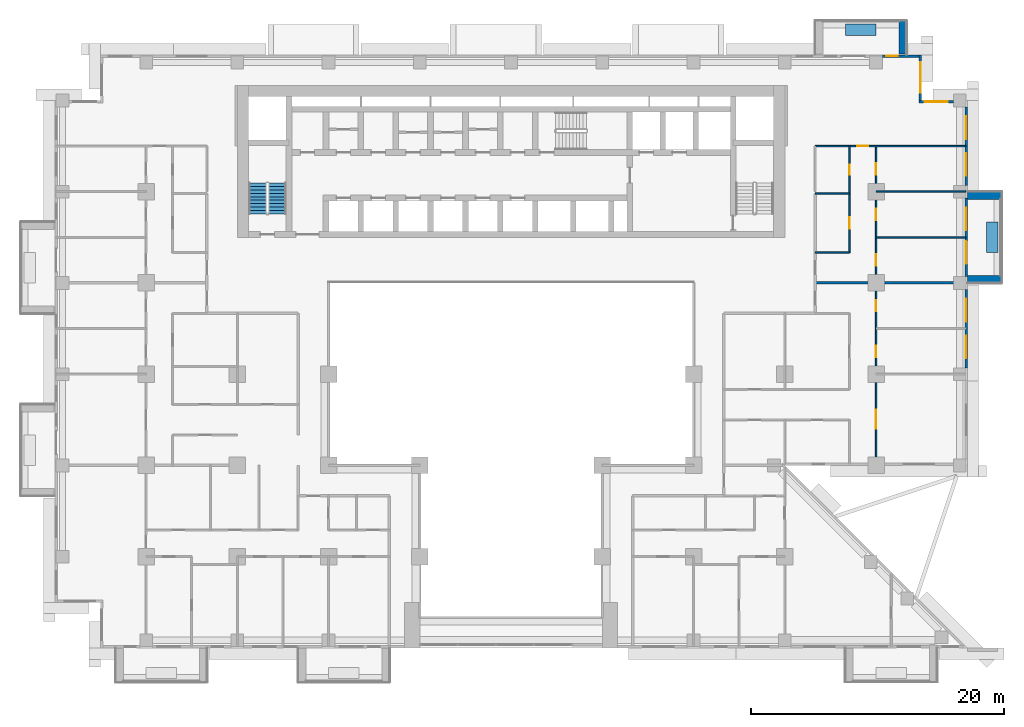
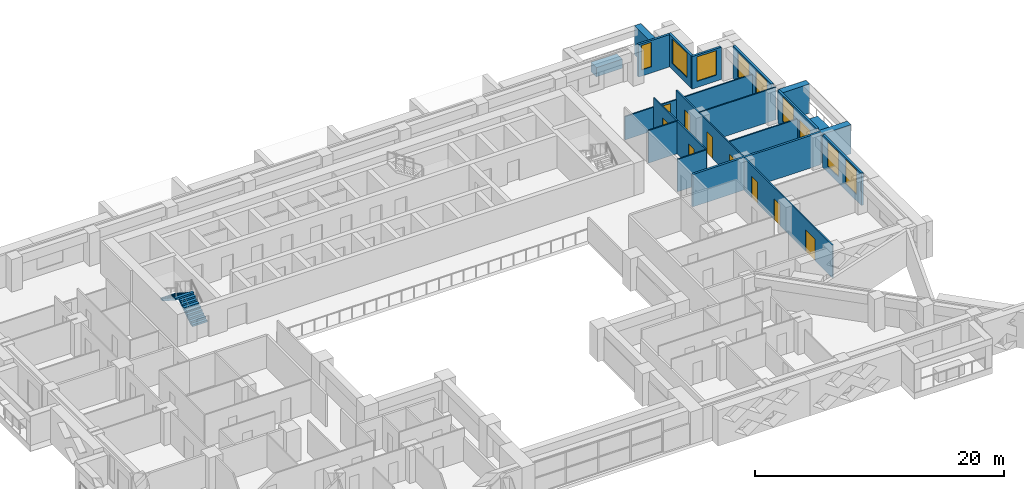
# One storey, part 12 of 17: 19 walls, 10 doors, 8 windows, 2 stair flights, 18 openings, 1 element without a shape of its own.
"""IFC4 building model written with IfcOpenShell, lengths in metres."""

from ifc_helpers import new_model, si_unit, direction, frame, frame_2d, origin, place, context, subcontext, project, spatial, polyline, rectangle, outline, extrude, material, layer, layer_set, type_object, element, fill, aggregate, save


model = new_model("IFC4")

# Units and contexts
model_context = context("Model", 3, precision=1e-05, world=origin(), true_north=direction((0.0, 1.0)))
body_context = subcontext(model_context, "Body", "Model", "MODEL_VIEW")
ifc_project = project(units=[si_unit("LENGTHUNIT", "METRE"), si_unit("AREAUNIT", "SQUARE_METRE"), si_unit("VOLUMEUNIT", "CUBIC_METRE"), si_unit("PLANEANGLEUNIT", "RADIAN"), si_unit("MASSUNIT", "GRAM", prefix="KILO")], contexts=[model_context])

# Site, building, storey
site_placement = place(None, origin())
site = spatial("IfcSite", under=ifc_project, at=site_placement, CompositionType="ELEMENT")
building_placement = place(site_placement, origin())
building = spatial("IfcBuilding", under=site, at=building_placement, Name="Saffron Iwan Residences", CompositionType="ELEMENT")
storey_placement = place(building_placement, frame((0.0, 0.0, 76.0)))
storey = spatial("IfcBuildingStorey", under=building, at=storey_placement, Name="L19", CompositionType="ELEMENT", Elevation=76.0)

# Walls
ifc_material_1 = material(Name="Concrete C50/60 white painted", Category="concrete")
ifc_layer_1 = layer(ifc_material_1, 0.60009765625)
ifc_layer_set_1 = layer_set([ifc_layer_1], Name="Concrete C50/60 white painted")
wall_type_1 = type_object("IfcWallType", Name="BALCONY FIN 600", PredefinedType="SOLIDWALL", material=ifc_layer_set_1)
for number, where, z_axis, x_axis, name in (
    (1, (86.39990234375, 62.699951171875, 0.0), (0.0, 0.0, 1.0), (1.0, 0.0, 0.0), "Balcony fin L19 F2-0a"),
    (2, (86.39990234375, 69.300048828125, 0.0), (0.0, 0.0, 1.0), (1.0, 0.0, 0.0), "Balcony fin L19 F2-0b"),
):
    element("IfcWall", number, at=place(storey_placement, frame(where, z_axis=z_axis, x_axis=x_axis)), inside=storey, type_object=wall_type_1, Name=name, PredefinedType="SOLIDWALL", context=body_context, shape_type="SweptSolid", body=[
        extrude(rectangle(XDim=2.7001953125, YDim=0.60009765625, at=frame_2d((1.35009765625, 0.0))), origin(), (0.0, 0.0, 1.0), 2.85009765625),
    ])
wall_1_placement = place(storey_placement, frame((81.300048828125, 80.449951171875, 0.0), z_axis=(0.0, 0.0, 1.0), x_axis=(0.0, 1.0, 0.0)))
element("IfcWall", 3, at=wall_1_placement, inside=storey, type_object=wall_type_1, Name="Balcony fin L19 F5-0a", PredefinedType="SOLIDWALL", context=body_context, shape_type="SweptSolid", body=[
    extrude(rectangle(XDim=2.650146484375, YDim=0.60009765625, at=frame_2d((1.3251953125, 0.0))), origin(), (0.0, 0.0, 1.0), 2.85009765625),
])
ifc_material_2 = material(Name="Concrete C35/45 white painted", Category="concrete")
ifc_layer_2 = layer(ifc_material_2, 0.14990234375)
ifc_layer_set_2 = layer_set([ifc_layer_2], Name="Concrete C35/45 white painted")
wall_type_2 = type_object("IfcWallType", Name="BALCONY PLANTER", PredefinedType="SOLIDWALL", material=ifc_layer_set_2)
for number, where, z_axis, x_axis, name in (
    (4, (88.375, 64.800048828125, 0.0), (0.0, 0.0, 1.0), (0.0, 1.0, 0.0), "PLANTER L19 F2-0"),
    (5, (79.199951171875, 82.375, 0.0), (0.0, 0.0, 1.0), (-1.0, 0.0, 0.0), "PLANTER L19 F5-0"),
):
    element("IfcWall", number, at=place(storey_placement, frame(where, z_axis=z_axis, x_axis=x_axis)), inside=storey, type_object=wall_type_2, Name=name, PredefinedType="SOLIDWALL", context=body_context, shape_type="SweptSolid", body=[
        extrude(rectangle(XDim=2.39990234375, YDim=0.89990234375, at=frame_2d((1.199951171875, 0.0))), origin(), (0.0, 0.0, 1.0), 0.89990234375),
    ])

# Wall, openings, windows
ifc_material_3 = material(Name="Concrete C40/50", Category="concrete")
ifc_layer_3 = layer(ifc_material_3, 0.199951171875)
ifc_layer_set_3 = layer_set([ifc_layer_3], Name="Concrete C40/50")
wall_type_3 = type_object("IfcWallType", Name="EXTERNAL WALL 200", PredefinedType="SOLIDWALL", material=ifc_layer_set_3)
wall_2_placement = place(storey_placement, frame((86.300048828125, 55.699951171875, 0.0), z_axis=(0.0, 0.0, 1.0), x_axis=(0.0, 1.0, 0.0)))
wall_2 = element("IfcWall", 6, at=wall_2_placement, inside=storey, type_object=wall_type_3, Name="External wall L19 F2.1", PredefinedType="SOLIDWALL", context=body_context, shape_type="SweptSolid", body=[
    extrude(rectangle(XDim=6.199951171875, YDim=0.199951171875, at=frame_2d((3.10009765625, 0.0))), origin(), (0.0, 0.0, 1.0), 3.179931640625),
])
opening_1_placement = place(wall_2_placement, frame((0.75, 0.0, 0.60009765625)))
opening_1 = element("IfcOpeningElement", 7, at=opening_1_placement, cuts=wall_2, Name="Opening W8", PredefinedType="OPENING", context=body_context, shape_type="SweptSolid", body=[
    extrude(rectangle(XDim=1.800048828125, YDim=2.39990234375, at=frame_2d((0.89990234375, 1.199951171875))), frame((0.0, 0.10986328125, 0.0), z_axis=(0.0, -1.0, 0.0), x_axis=(1.0, 0.0, 0.0)), (0.0, 0.0, 1.0), 0.219970703125),
])
opening_2_placement = place(wall_2_placement, frame((3.64990234375, 0.0, 0.60009765625)))
opening_2 = element("IfcOpeningElement", 8, at=opening_2_placement, cuts=wall_2, Name="Opening W8", PredefinedType="OPENING", context=body_context, shape_type="SweptSolid", body=[
    extrude(rectangle(XDim=1.800048828125, YDim=2.39990234375, at=frame_2d((0.89990234375, 1.199951171875))), frame((0.0, 0.10986328125, 0.0), z_axis=(0.0, -1.0, 0.0), x_axis=(1.0, 0.0, 0.0)), (0.0, 0.0, 1.0), 0.219970703125),
])
ifc_material_4 = material(Name="Clear glass, laminated double glazed", Category="glass")
window_type_1 = type_object("IfcWindowType", Name="WINDOW 1800 x 2400", PartitioningType="DOUBLE_PANEL_VERTICAL", PredefinedType="WINDOW", material=ifc_material_4)
window_1_placement = place(opening_1_placement, origin())
window_1 = element("IfcWindow", 9, at=window_1_placement, inside=storey, type_object=window_type_1, Name="Window L19 F2.0", OverallHeight=2.39990234375, OverallWidth=1.800048828125, PartitioningType="DOUBLE_PANEL_VERTICAL", PredefinedType="WINDOW", context=body_context, shape_type="SweptSolid", body=[
    extrude(rectangle(XDim=1.800048828125, YDim=2.39990234375, at=frame_2d((0.89990234375, 1.199951171875))), frame((0.0, 0.030029296875, 0.0), z_axis=(0.0, -1.0, 0.0), x_axis=(1.0, 0.0, 0.0)), (0.0, 0.0, 1.0), 0.06005859375),
])
fill(opening_1, window_1)
window_2_placement = place(opening_2_placement, origin())
window_2 = element("IfcWindow", 10, at=window_2_placement, inside=storey, type_object=window_type_1, Name="Window L19 F2.1", OverallHeight=2.39990234375, OverallWidth=1.800048828125, PartitioningType="DOUBLE_PANEL_VERTICAL", PredefinedType="WINDOW", context=body_context, shape_type="SweptSolid", body=[
    extrude(rectangle(XDim=1.800048828125, YDim=2.39990234375, at=frame_2d((0.89990234375, 1.199951171875))), frame((0.0, 0.030029296875, 0.0), z_axis=(0.0, -1.0, 0.0), x_axis=(1.0, 0.0, 0.0)), (0.0, 0.0, 1.0), 0.06005859375),
])
fill(opening_2, window_2)

# Wall, openings, door, window
wall_3_placement = place(storey_placement, frame((86.300048828125, 62.89990234375, 0.0), z_axis=(0.0, 0.0, 1.0), x_axis=(0.0, 1.0, 0.0)))
wall_3 = element("IfcWall", 11, at=wall_3_placement, inside=storey, type_object=wall_type_3, Name="External wall L19 F2.2", PredefinedType="SOLIDWALL", context=body_context, shape_type="SweptSolid", body=[
    extrude(rectangle(XDim=6.2001953125, YDim=0.199951171875, at=frame_2d((3.10009765625, 0.0))), origin(), (0.0, 0.0, 1.0), 3.179931640625),
])
opening_3_placement = place(wall_3_placement, frame((1.0, 0.0, 0.0)))
opening_3 = element("IfcOpeningElement", 12, at=opening_3_placement, cuts=wall_3, Name="Opening BD1", PredefinedType="OPENING", context=body_context, shape_type="SweptSolid", body=[
    extrude(rectangle(XDim=1.800048828125, YDim=2.39990234375, at=frame_2d((0.89990234375, 1.199951171875))), frame((0.0, 0.10986328125, 0.0), z_axis=(0.0, -1.0, 0.0), x_axis=(1.0, 0.0, 0.0)), (0.0, 0.0, 1.0), 0.219970703125),
])
opening_4_placement = place(wall_3_placement, frame((3.64990234375, 0.0, 0.60009765625)))
opening_4 = element("IfcOpeningElement", 13, at=opening_4_placement, cuts=wall_3, Name="Opening W8", PredefinedType="OPENING", context=body_context, shape_type="SweptSolid", body=[
    extrude(rectangle(XDim=1.800048828125, YDim=2.39990234375, at=frame_2d((0.89990234375, 1.199951171875))), frame((0.0, 0.10986328125, 0.0), z_axis=(0.0, -1.0, 0.0), x_axis=(1.0, 0.0, 0.0)), (0.0, 0.0, 1.0), 0.219970703125),
])
door_type_1 = type_object("IfcDoorType", Name="BALCONY DOOR 1800 x 2400", OperationType="DOUBLE_DOOR_SLIDING", PredefinedType="DOOR", material=ifc_material_4)
door_1_placement = place(opening_3_placement, origin())
door_1 = element("IfcDoor", 14, at=door_1_placement, inside=storey, type_object=door_type_1, Name="Balcony door L19 F2.0", OperationType="DOUBLE_DOOR_SLIDING", OverallHeight=2.39990234375, OverallWidth=1.800048828125, PredefinedType="DOOR", context=body_context, shape_type="SweptSolid", body=[
    extrude(rectangle(XDim=1.800048828125, YDim=2.39990234375, at=frame_2d((0.89990234375, 1.199951171875))), frame((0.0, 0.02490234375, 0.0), z_axis=(0.0, -1.0, 0.0), x_axis=(1.0, 0.0, 0.0)), (0.0, 0.0, 1.0), 0.050048828125),
])
fill(opening_3, door_1)
window_3_placement = place(opening_4_placement, origin())
window_3 = element("IfcWindow", 15, at=window_3_placement, inside=storey, type_object=window_type_1, Name="Window L19 F2.1", OverallHeight=2.39990234375, OverallWidth=1.800048828125, PartitioningType="DOUBLE_PANEL_VERTICAL", PredefinedType="WINDOW", context=body_context, shape_type="SweptSolid", body=[
    extrude(rectangle(XDim=1.800048828125, YDim=2.39990234375, at=frame_2d((0.89990234375, 1.199951171875))), frame((0.0, 0.030029296875, 0.0), z_axis=(0.0, -1.0, 0.0), x_axis=(1.0, 0.0, 0.0)), (0.0, 0.0, 1.0), 0.06005859375),
])
fill(opening_4, window_3)

# Wall, openings, windows
wall_4_placement = place(storey_placement, frame((86.300048828125, 70.10009765625, 0.0), z_axis=(0.0, 0.0, 1.0), x_axis=(0.0, 1.0, 0.0)))
wall_4 = element("IfcWall", 16, at=wall_4_placement, inside=storey, type_object=wall_type_3, Name="External wall L19 F2.3", PredefinedType="SOLIDWALL", context=body_context, shape_type="SweptSolid", body=[
    extrude(rectangle(XDim=6.199951171875, YDim=0.199951171875, at=frame_2d((3.10009765625, 0.0))), origin(), (0.0, 0.0, 1.0), 3.179931640625),
])
opening_5_placement = place(wall_4_placement, frame((0.75, 0.0, 0.60009765625)))
opening_5 = element("IfcOpeningElement", 17, at=opening_5_placement, cuts=wall_4, Name="Opening W8", PredefinedType="OPENING", context=body_context, shape_type="SweptSolid", body=[
    extrude(rectangle(XDim=1.800048828125, YDim=2.39990234375, at=frame_2d((0.89990234375, 1.199951171875))), frame((0.0, 0.10986328125, 0.0), z_axis=(0.0, -1.0, 0.0), x_axis=(1.0, 0.0, 0.0)), (0.0, 0.0, 1.0), 0.219970703125),
])
opening_6_placement = place(wall_4_placement, frame((3.64990234375, 0.0, 0.60009765625)))
opening_6 = element("IfcOpeningElement", 18, at=opening_6_placement, cuts=wall_4, Name="Opening W8", PredefinedType="OPENING", context=body_context, shape_type="SweptSolid", body=[
    extrude(rectangle(XDim=1.800048828125, YDim=2.39990234375, at=frame_2d((0.89990234375, 1.199951171875))), frame((0.0, 0.10986328125, 0.0), z_axis=(0.0, -1.0, 0.0), x_axis=(1.0, 0.0, 0.0)), (0.0, 0.0, 1.0), 0.219970703125),
])
window_4_placement = place(opening_5_placement, origin())
window_4 = element("IfcWindow", 19, at=window_4_placement, inside=storey, type_object=window_type_1, Name="Window L19 F2.0", OverallHeight=2.39990234375, OverallWidth=1.800048828125, PartitioningType="DOUBLE_PANEL_VERTICAL", PredefinedType="WINDOW", context=body_context, shape_type="SweptSolid", body=[
    extrude(rectangle(XDim=1.800048828125, YDim=2.39990234375, at=frame_2d((0.89990234375, 1.199951171875))), frame((0.0, 0.030029296875, 0.0), z_axis=(0.0, -1.0, 0.0), x_axis=(1.0, 0.0, 0.0)), (0.0, 0.0, 1.0), 0.06005859375),
])
fill(opening_5, window_4)
window_5_placement = place(opening_6_placement, origin())
window_5 = element("IfcWindow", 20, at=window_5_placement, inside=storey, type_object=window_type_1, Name="Window L19 F2.1", OverallHeight=2.39990234375, OverallWidth=1.800048828125, PartitioningType="DOUBLE_PANEL_VERTICAL", PredefinedType="WINDOW", context=body_context, shape_type="SweptSolid", body=[
    extrude(rectangle(XDim=1.800048828125, YDim=2.39990234375, at=frame_2d((0.89990234375, 1.199951171875))), frame((0.0, 0.030029296875, 0.0), z_axis=(0.0, -1.0, 0.0), x_axis=(1.0, 0.0, 0.0)), (0.0, 0.0, 1.0), 0.06005859375),
])
fill(opening_6, window_5)

# Wall, opening, window
wall_5_placement = place(storey_placement, frame((85.300048828125, 76.699951171875, 0.0), z_axis=(0.0, 0.0, 1.0), x_axis=(-1.0, 0.0, 0.0)))
wall_5 = element("IfcWall", 21, at=wall_5_placement, inside=storey, type_object=wall_type_3, Name="External wall L19 F3.0", PredefinedType="SOLIDWALL", context=body_context, shape_type="SweptSolid", body=[
    extrude(rectangle(XDim=2.699951171875, YDim=0.199951171875, at=frame_2d((1.35009765625, 0.0))), origin(), (0.0, 0.0, 1.0), 3.179931640625),
])
opening_7_placement = place(wall_5_placement, frame((0.449951171875, 0.0, 0.60009765625)))
opening_7 = element("IfcOpeningElement", 22, at=opening_7_placement, cuts=wall_5, Name="Opening W8", PredefinedType="OPENING", context=body_context, shape_type="SweptSolid", body=[
    extrude(rectangle(XDim=1.800048828125, YDim=2.39990234375, at=frame_2d((0.89990234375, 1.199951171875))), frame((0.0, 0.10986328125, 0.0), z_axis=(0.0, -1.0, 0.0), x_axis=(1.0, 0.0, 0.0)), (0.0, 0.0, 1.0), 0.219970703125),
])
window_6_placement = place(opening_7_placement, origin())
window_6 = element("IfcWindow", 23, at=window_6_placement, inside=storey, type_object=window_type_1, Name="Window L19 F3.0", OverallHeight=2.39990234375, OverallWidth=1.800048828125, PartitioningType="DOUBLE_PANEL_VERTICAL", PredefinedType="WINDOW", context=body_context, shape_type="SweptSolid", body=[
    extrude(rectangle(XDim=1.800048828125, YDim=2.39990234375, at=frame_2d((0.89990234375, 1.199951171875))), frame((0.0, 0.030029296875, 0.0), z_axis=(0.0, -1.0, 0.0), x_axis=(1.0, 0.0, 0.0)), (0.0, 0.0, 1.0), 0.06005859375),
])
fill(opening_7, window_6)

wall_6_placement = place(storey_placement, frame((82.699951171875, 76.800048828125, 0.0), z_axis=(0.0, 0.0, 1.0), x_axis=(0.0, 1.0, 0.0)))
wall_6 = element("IfcWall", 24, at=wall_6_placement, inside=storey, type_object=wall_type_3, Name="External wall L19 F4.0", PredefinedType="SOLIDWALL", context=body_context, shape_type="SweptSolid", body=[
    extrude(rectangle(XDim=3.599853515625, YDim=0.199951171875, at=frame_2d((1.7998046875, 0.0))), origin(), (0.0, 0.0, 1.0), 3.179931640625),
])
opening_8_placement = place(wall_6_placement, frame((0.60009765625, 0.0, 0.60009765625)))
opening_8 = element("IfcOpeningElement", 25, at=opening_8_placement, cuts=wall_6, Name="Opening W1", PredefinedType="OPENING", context=body_context, shape_type="SweptSolid", body=[
    extrude(rectangle(XDim=2.39990234375, YDim=2.39990234375, at=frame_2d((1.199951171875, 1.199951171875))), frame((0.0, 0.10986328125, 0.0), z_axis=(0.0, -1.0, 0.0), x_axis=(1.0, 0.0, 0.0)), (0.0, 0.0, 1.0), 0.219970703125),
])
window_type_2 = type_object("IfcWindowType", Name="WINDOW 2400 x 2400", PartitioningType="DOUBLE_PANEL_VERTICAL", PredefinedType="WINDOW", material=ifc_material_4)
window_7_placement = place(opening_8_placement, origin())
window_7 = element("IfcWindow", 26, at=window_7_placement, inside=storey, type_object=window_type_2, Name="Window L19 F4.0", OverallHeight=2.39990234375, OverallWidth=2.39990234375, PartitioningType="DOUBLE_PANEL_VERTICAL", PredefinedType="WINDOW", context=body_context, shape_type="SweptSolid", body=[
    extrude(rectangle(XDim=2.39990234375, YDim=2.39990234375, at=frame_2d((1.199951171875, 1.199951171875))), frame((0.0, 0.030029296875, 0.0), z_axis=(0.0, -1.0, 0.0), x_axis=(1.0, 0.0, 0.0)), (0.0, 0.0, 1.0), 0.06005859375),
])
fill(opening_8, window_7)

wall_7_placement = place(storey_placement, frame((82.60009765625, 80.300048828125, 0.0), z_axis=(0.0, 0.0, 1.0), x_axis=(-1.0, 0.0, 0.0)))
wall_7 = element("IfcWall", 27, at=wall_7_placement, inside=storey, type_object=wall_type_3, Name="External wall L19 F5.0", PredefinedType="SOLIDWALL", context=body_context, shape_type="SweptSolid", body=[
    extrude(rectangle(XDim=2.900146484375, YDim=0.199951171875, at=frame_2d((1.4501953125, 0.0))), origin(), (0.0, 0.0, 1.0), 3.179931640625),
])
opening_9_placement = place(wall_7_placement, frame((1.699951171875, 0.0, 0.60009765625)))
opening_9 = element("IfcOpeningElement", 28, at=opening_9_placement, cuts=wall_7, Name="Opening W10", PredefinedType="OPENING", context=body_context, shape_type="SweptSolid", body=[
    extrude(rectangle(XDim=0.89990234375, YDim=2.39990234375, at=frame_2d((0.449951171875, 1.199951171875))), frame((0.0, 0.10986328125, 0.0), z_axis=(0.0, -1.0, 0.0), x_axis=(1.0, 0.0, 0.0)), (0.0, 0.0, 1.0), 0.219970703125),
])
window_type_3 = type_object("IfcWindowType", Name="WINDOW 900 x 2400", PartitioningType="SINGLE_PANEL", PredefinedType="WINDOW", material=ifc_material_4)
window_8_placement = place(opening_9_placement, origin())
window_8 = element("IfcWindow", 29, at=window_8_placement, inside=storey, type_object=window_type_3, Name="Window L19 F5.0", OverallHeight=2.39990234375, OverallWidth=0.89990234375, PartitioningType="SINGLE_PANEL", PredefinedType="WINDOW", context=body_context, shape_type="SweptSolid", body=[
    extrude(rectangle(XDim=0.89990234375, YDim=2.39990234375, at=frame_2d((0.449951171875, 1.199951171875))), frame((0.0, 0.030029296875, 0.0), z_axis=(0.0, -1.0, 0.0), x_axis=(1.0, 0.0, 0.0)), (0.0, 0.0, 1.0), 0.06005859375),
])
fill(opening_9, window_8)

# Walls
ifc_material_5 = material(Name="Fire-rated gypsum board wall")
ifc_layer_4 = layer(ifc_material_5, 0.199951171875)
ifc_layer_set_4 = layer_set([ifc_layer_4], Name="Fire-rated gypsum board wall")
wall_type_4 = type_object("IfcWallType", Name="Flat demising wall 200", PredefinedType="SOLIDWALL", material=ifc_layer_set_4)
wall_8_placement = place(storey_placement, frame((74.39990234375, 62.39990234375, 0.0), z_axis=(0.0, 0.0, 1.0), x_axis=(1.0, 0.0, 0.0)))
element("IfcWall", 30, at=wall_8_placement, inside=storey, type_object=wall_type_4, Name="W-L19-DEMISE-h62.4-74.4", PredefinedType="SOLIDWALL", context=body_context, shape_type="SweptSolid", body=[
    extrude(rectangle(XDim=11.875, YDim=0.199951171875, at=frame_2d((5.9375, 0.0))), origin(), (0.0, 0.0, 1.0), 3.179931640625),
])
ifc_material_6 = material(Name="Gypsum board partition")
ifc_layer_5 = layer(ifc_material_6, 0.1201171875)
ifc_layer_set_5 = layer_set([ifc_layer_5], Name="Gypsum board partition")
wall_type_5 = type_object("IfcWallType", Name="Flat partition 120", PredefinedType="PARTITIONING", material=ifc_layer_set_5)
wall_9_placement = place(storey_placement, frame((74.39990234375, 64.800048828125, 0.0), z_axis=(0.0, 0.0, 1.0), x_axis=(1.0, 0.0, 0.0)))
element("IfcWall", 31, at=wall_9_placement, inside=storey, type_object=wall_type_5, Name="W-L19-PART-h64.8-74.4", PredefinedType="PARTITIONING", context=body_context, shape_type="SweptSolid", body=[
    extrude(rectangle(XDim=2.7001953125, YDim=0.1201171875, at=frame_2d((1.35009765625, 0.0))), origin(), (0.0, 0.0, 1.0), 3.179931640625),
])
wall_10_placement = place(storey_placement, frame((79.199951171875, 66.0, 0.0), z_axis=(0.0, 0.0, 1.0), x_axis=(1.0, 0.0, 0.0)))
element("IfcWall", 32, at=wall_10_placement, inside=storey, type_object=wall_type_5, Name="W-L19-PART-h66-79.2", PredefinedType="PARTITIONING", context=body_context, shape_type="SweptSolid", body=[
    extrude(rectangle(XDim=7.074951171875, YDim=0.1201171875, at=frame_2d((3.53759765625, 0.0))), origin(), (0.0, 0.0, 1.0), 2.280029296875),
])
wall_11_placement = place(storey_placement, frame((74.39990234375, 69.449951171875, 0.0), z_axis=(0.0, 0.0, 1.0), x_axis=(1.0, 0.0, 0.0)))
element("IfcWall", 33, at=wall_11_placement, inside=storey, type_object=wall_type_5, Name="W-L19-PART-h69.45-74.4", PredefinedType="PARTITIONING", context=body_context, shape_type="SweptSolid", body=[
    extrude(rectangle(XDim=2.7001953125, YDim=0.1201171875, at=frame_2d((1.35009765625, 0.0))), origin(), (0.0, 0.0, 1.0), 3.179931640625),
])
wall_12_placement = place(storey_placement, frame((79.199951171875, 69.60009765625, 0.0), z_axis=(0.0, 0.0, 1.0), x_axis=(1.0, 0.0, 0.0)))
element("IfcWall", 34, at=wall_12_placement, inside=storey, type_object=wall_type_5, Name="W-L19-PART-h69.6-79.2", PredefinedType="PARTITIONING", context=body_context, shape_type="SweptSolid", body=[
    extrude(rectangle(XDim=7.074951171875, YDim=0.1201171875, at=frame_2d((3.53759765625, 0.0))), origin(), (0.0, 0.0, 1.0), 3.179931640625),
])

# Wall, opening, door
wall_13_placement = place(storey_placement, frame((74.39990234375, 73.199951171875, 0.0), z_axis=(0.0, 0.0, 1.0), x_axis=(1.0, 0.0, 0.0)))
wall_13 = element("IfcWall", 35, at=wall_13_placement, inside=storey, type_object=wall_type_5, Name="W-L19-PART-h73.2-74.4", PredefinedType="PARTITIONING", context=body_context, shape_type="SweptSolid", body=[
    extrude(rectangle(XDim=11.875, YDim=0.1201171875, at=frame_2d((5.9375, 0.0))), origin(), (0.0, 0.0, 1.0), 2.280029296875),
])
opening_10_placement = place(wall_13_placement, frame((3.300048828125, 0.0, 0.0)))
opening_10 = element("IfcOpeningElement", 36, at=opening_10_placement, cuts=wall_13, Name="Opening FD2", PredefinedType="OPENING", context=body_context, shape_type="SweptSolid", body=[
    extrude(rectangle(XDim=0.89990234375, YDim=2.10009765625, at=frame_2d((0.449951171875, 1.050048828125))), frame((0.0, 0.070068359375, 0.0), z_axis=(0.0, -1.0, 0.0), x_axis=(1.0, 0.0, 0.0)), (0.0, 0.0, 1.0), 0.14013671875),
])
ifc_material_7 = material(Name="Timber door", Category="wood")
door_type_2 = type_object("IfcDoorType", Name="Flat door 900", OperationType="NOTDEFINED", PredefinedType="DOOR", material=ifc_material_7)
door_2_placement = place(opening_10_placement, origin())
door_2 = element("IfcDoor", 37, at=door_2_placement, inside=storey, type_object=door_type_2, Name="Door L19-040", OperationType="SINGLE_SWING_LEFT", OverallHeight=2.10009765625, OverallWidth=0.89990234375, PredefinedType="DOOR", context=body_context, shape_type="SweptSolid", body=[
    extrude(rectangle(XDim=0.89990234375, YDim=2.10009765625, at=frame_2d((0.449951171875, 1.050048828125))), frame((0.0, 0.02490234375, 0.0), z_axis=(0.0, -1.0, 0.0), x_axis=(1.0, 0.0, 0.0)), (0.0, 0.0, 1.0), 0.050048828125),
])
fill(opening_10, door_2)

# Wall, openings, doors
wall_14_placement = place(storey_placement, frame((77.10009765625, 64.800048828125, 0.0), z_axis=(0.0, 0.0, 1.0), x_axis=(0.0, 1.0, 0.0)))
wall_14 = element("IfcWall", 38, at=wall_14_placement, inside=storey, type_object=wall_type_5, Name="W-L19-PART-v77.1-64.8", PredefinedType="PARTITIONING", context=body_context, shape_type="SweptSolid", body=[
    extrude(rectangle(XDim=8.39990234375, YDim=0.1201171875, at=frame_2d((4.199951171875, 0.0))), origin(), (0.0, 0.0, 1.0), 3.179931640625),
])
opening_11_placement = place(wall_14_placement, frame((1.875, 0.0, 0.0)))
opening_11 = element("IfcOpeningElement", 39, at=opening_11_placement, cuts=wall_14, Name="Opening FD2", PredefinedType="OPENING", context=body_context, shape_type="SweptSolid", body=[
    extrude(rectangle(XDim=0.89990234375, YDim=2.10009765625, at=frame_2d((0.449951171875, 1.050048828125))), frame((0.0, 0.070068359375, 0.0), z_axis=(0.0, -1.0, 0.0), x_axis=(1.0, 0.0, 0.0)), (0.0, 0.0, 1.0), 0.14013671875),
])
opening_12_placement = place(wall_14_placement, frame((6.125, 0.0, 0.0)))
opening_12 = element("IfcOpeningElement", 40, at=opening_12_placement, cuts=wall_14, Name="Opening FD3", PredefinedType="OPENING", context=body_context, shape_type="SweptSolid", body=[
    extrude(rectangle(XDim=0.800048828125, YDim=2.10009765625, at=frame_2d((0.39990234375, 1.050048828125))), frame((0.0, 0.070068359375, 0.0), z_axis=(0.0, -1.0, 0.0), x_axis=(1.0, 0.0, 0.0)), (0.0, 0.0, 1.0), 0.14013671875),
])
door_type_3 = type_object("IfcDoorType", Name="Bathroom door 800", OperationType="NOTDEFINED", PredefinedType="DOOR", material=ifc_material_7)
door_3_placement = place(opening_12_placement, origin())
door_3 = element("IfcDoor", 41, at=door_3_placement, inside=storey, type_object=door_type_3, Name="Door L19-042", OperationType="SINGLE_SWING_RIGHT", OverallHeight=2.10009765625, OverallWidth=0.800048828125, PredefinedType="DOOR", context=body_context, shape_type="SweptSolid", body=[
    extrude(rectangle(XDim=0.800048828125, YDim=2.10009765625, at=frame_2d((0.39990234375, 1.050048828125))), frame((0.0, 0.02490234375, 0.0), z_axis=(0.0, -1.0, 0.0), x_axis=(1.0, 0.0, 0.0)), (0.0, 0.0, 1.0), 0.050048828125),
])
fill(opening_12, door_3)
door_4_placement = place(opening_11_placement, origin())
door_4 = element("IfcDoor", 42, at=door_4_placement, inside=storey, type_object=door_type_2, Name="Door L19-041", OperationType="SINGLE_SWING_LEFT", OverallHeight=2.10009765625, OverallWidth=0.89990234375, PredefinedType="DOOR", context=body_context, shape_type="SweptSolid", body=[
    extrude(rectangle(XDim=0.89990234375, YDim=2.10009765625, at=frame_2d((0.449951171875, 1.050048828125))), frame((0.0, 0.02490234375, 0.0), z_axis=(0.0, -1.0, 0.0), x_axis=(1.0, 0.0, 0.0)), (0.0, 0.0, 1.0), 0.050048828125),
])
fill(opening_11, door_4)

wall_15_placement = place(storey_placement, frame((79.199951171875, 48.125, 0.0), z_axis=(0.0, 0.0, 1.0), x_axis=(0.0, 1.0, 0.0)))
wall_15 = element("IfcWall", 43, at=wall_15_placement, inside=storey, type_object=wall_type_5, Name="W-L19-PART-v79.2-48.125", PredefinedType="PARTITIONING", context=body_context, shape_type="SweptSolid", body=[
    extrude(rectangle(XDim=25.074951171875, YDim=0.1201171875, at=frame_2d((12.53759765625, 0.0))), origin(), (0.0, 0.0, 1.0), 3.179931640625),
])
opening_13_placement = place(wall_15_placement, frame((2.78759765625, 0.0, 0.0)))
opening_13 = element("IfcOpeningElement", 44, at=opening_13_placement, cuts=wall_15, Name="Opening FD4", PredefinedType="OPENING", context=body_context, shape_type="SweptSolid", body=[
    extrude(rectangle(XDim=1.5, YDim=2.10009765625, at=frame_2d((0.75, 1.050048828125))), frame((0.0, 0.070068359375, 0.0), z_axis=(0.0, -1.0, 0.0), x_axis=(1.0, 0.0, 0.0)), (0.0, 0.0, 1.0), 0.14013671875),
])
opening_14_placement = place(wall_15_placement, frame((8.425048828125, 0.0, 0.0)))
opening_14 = element("IfcOpeningElement", 45, at=opening_14_placement, cuts=wall_15, Name="Opening FD2", PredefinedType="OPENING", context=body_context, shape_type="SweptSolid", body=[
    extrude(rectangle(XDim=0.89990234375, YDim=2.10009765625, at=frame_2d((0.449951171875, 1.050048828125))), frame((0.0, 0.070068359375, 0.0), z_axis=(0.0, -1.0, 0.0), x_axis=(1.0, 0.0, 0.0)), (0.0, 0.0, 1.0), 0.14013671875),
])
opening_15_placement = place(wall_15_placement, frame((12.02490234375, 0.0, 0.0)))
opening_15 = element("IfcOpeningElement", 46, at=opening_15_placement, cuts=wall_15, Name="Opening FD2", PredefinedType="OPENING", context=body_context, shape_type="SweptSolid", body=[
    extrude(rectangle(XDim=0.89990234375, YDim=2.10009765625, at=frame_2d((0.449951171875, 1.050048828125))), frame((0.0, 0.070068359375, 0.0), z_axis=(0.0, -1.0, 0.0), x_axis=(1.0, 0.0, 0.0)), (0.0, 0.0, 1.0), 0.14013671875),
])
opening_16_placement = place(wall_15_placement, frame((15.625, 0.0, 0.0)))
opening_16 = element("IfcOpeningElement", 47, at=opening_16_placement, cuts=wall_15, Name="Opening FD2", PredefinedType="OPENING", context=body_context, shape_type="SweptSolid", body=[
    extrude(rectangle(XDim=0.89990234375, YDim=2.10009765625, at=frame_2d((0.449951171875, 1.050048828125))), frame((0.0, 0.070068359375, 0.0), z_axis=(0.0, -1.0, 0.0), x_axis=(1.0, 0.0, 0.0)), (0.0, 0.0, 1.0), 0.14013671875),
])
opening_17_placement = place(wall_15_placement, frame((19.22509765625, 0.0, 0.0)))
opening_17 = element("IfcOpeningElement", 48, at=opening_17_placement, cuts=wall_15, Name="Opening FD2", PredefinedType="OPENING", context=body_context, shape_type="SweptSolid", body=[
    extrude(rectangle(XDim=0.89990234375, YDim=2.10009765625, at=frame_2d((0.449951171875, 1.050048828125))), frame((0.0, 0.070068359375, 0.0), z_axis=(0.0, -1.0, 0.0), x_axis=(1.0, 0.0, 0.0)), (0.0, 0.0, 1.0), 0.14013671875),
])
opening_18_placement = place(wall_15_placement, frame((22.824951171875, 0.0, 0.0)))
opening_18 = element("IfcOpeningElement", 49, at=opening_18_placement, cuts=wall_15, Name="Opening FD2", PredefinedType="OPENING", context=body_context, shape_type="SweptSolid", body=[
    extrude(rectangle(XDim=0.89990234375, YDim=2.10009765625, at=frame_2d((0.449951171875, 1.050048828125))), frame((0.0, 0.070068359375, 0.0), z_axis=(0.0, -1.0, 0.0), x_axis=(1.0, 0.0, 0.0)), (0.0, 0.0, 1.0), 0.14013671875),
])
door_type_4 = type_object("IfcDoorType", Name="Double door 1500", OperationType="NOTDEFINED", PredefinedType="DOOR", material=ifc_material_7)
door_5_placement = place(opening_13_placement, origin())
door_5 = element("IfcDoor", 50, at=door_5_placement, inside=storey, type_object=door_type_4, Name="Door L19-022", OperationType="SINGLE_SWING_LEFT", OverallHeight=2.10009765625, OverallWidth=1.5, PredefinedType="DOOR", context=body_context, shape_type="SweptSolid", body=[
    extrude(rectangle(XDim=1.5, YDim=2.10009765625, at=frame_2d((0.75, 1.050048828125))), frame((0.0, 0.02490234375, 0.0), z_axis=(0.0, -1.0, 0.0), x_axis=(1.0, 0.0, 0.0)), (0.0, 0.0, 1.0), 0.050048828125),
])
fill(opening_13, door_5)
door_6_placement = place(opening_14_placement, origin())
door_6 = element("IfcDoor", 51, at=door_6_placement, inside=storey, type_object=door_type_2, Name="Door L19-023", OperationType="SINGLE_SWING_LEFT", OverallHeight=2.10009765625, OverallWidth=0.89990234375, PredefinedType="DOOR", context=body_context, shape_type="SweptSolid", body=[
    extrude(rectangle(XDim=0.89990234375, YDim=2.10009765625, at=frame_2d((0.449951171875, 1.050048828125))), frame((0.0, 0.02490234375, 0.0), z_axis=(0.0, -1.0, 0.0), x_axis=(1.0, 0.0, 0.0)), (0.0, 0.0, 1.0), 0.050048828125),
])
fill(opening_14, door_6)
door_7_placement = place(opening_15_placement, origin())
door_7 = element("IfcDoor", 52, at=door_7_placement, inside=storey, type_object=door_type_2, Name="Door L19-024", OperationType="SINGLE_SWING_RIGHT", OverallHeight=2.10009765625, OverallWidth=0.89990234375, PredefinedType="DOOR", context=body_context, shape_type="SweptSolid", body=[
    extrude(rectangle(XDim=0.89990234375, YDim=2.10009765625, at=frame_2d((0.449951171875, 1.050048828125))), frame((0.0, 0.02490234375, 0.0), z_axis=(0.0, -1.0, 0.0), x_axis=(1.0, 0.0, 0.0)), (0.0, 0.0, 1.0), 0.050048828125),
])
fill(opening_15, door_7)
door_8_placement = place(opening_16_placement, origin())
door_8 = element("IfcDoor", 53, at=door_8_placement, inside=storey, type_object=door_type_2, Name="Door L19-037", OperationType="SINGLE_SWING_LEFT", OverallHeight=2.10009765625, OverallWidth=0.89990234375, PredefinedType="DOOR", context=body_context, shape_type="SweptSolid", body=[
    extrude(rectangle(XDim=0.89990234375, YDim=2.10009765625, at=frame_2d((0.449951171875, 1.050048828125))), frame((0.0, 0.02490234375, 0.0), z_axis=(0.0, -1.0, 0.0), x_axis=(1.0, 0.0, 0.0)), (0.0, 0.0, 1.0), 0.050048828125),
])
fill(opening_16, door_8)
door_9_placement = place(opening_17_placement, origin())
door_9 = element("IfcDoor", 54, at=door_9_placement, inside=storey, type_object=door_type_2, Name="Door L19-038", OperationType="SINGLE_SWING_LEFT", OverallHeight=2.10009765625, OverallWidth=0.89990234375, PredefinedType="DOOR", context=body_context, shape_type="SweptSolid", body=[
    extrude(rectangle(XDim=0.89990234375, YDim=2.10009765625, at=frame_2d((0.449951171875, 1.050048828125))), frame((0.0, 0.02490234375, 0.0), z_axis=(0.0, -1.0, 0.0), x_axis=(1.0, 0.0, 0.0)), (0.0, 0.0, 1.0), 0.050048828125),
])
fill(opening_17, door_9)
door_10_placement = place(opening_18_placement, origin())
door_10 = element("IfcDoor", 55, at=door_10_placement, inside=storey, type_object=door_type_2, Name="Door L19-039", OperationType="SINGLE_SWING_RIGHT", OverallHeight=2.10009765625, OverallWidth=0.89990234375, PredefinedType="DOOR", context=body_context, shape_type="SweptSolid", body=[
    extrude(rectangle(XDim=0.89990234375, YDim=2.10009765625, at=frame_2d((0.449951171875, 1.050048828125))), frame((0.0, 0.02490234375, 0.0), z_axis=(0.0, -1.0, 0.0), x_axis=(1.0, 0.0, 0.0)), (0.0, 0.0, 1.0), 0.050048828125),
])
fill(opening_18, door_10)

# Stair, stair flights
ifc_material_8 = material(Name="Concrete C50/60", Category="concrete")
stair_type = type_object("IfcStairType", Name="Stair ST-CORE", PredefinedType="HALF_TURN_STAIR", material=ifc_material_8)
stair_placement = place(storey_placement, origin())
stair = element("IfcStair", 56, at=stair_placement, inside=storey, type_object=stair_type, Name="L19 Exit Stair ST-W", PredefinedType="HALF_TURN_STAIR")
ifc_layer_6 = layer(ifc_material_8, 0.14990234375)
ifc_layer_set_6 = layer_set([ifc_layer_6], Name="Concrete C50/60")
stair_flight_type = type_object("IfcStairFlightType", Name="Stair flight SFL-RC", PredefinedType="STRAIGHT", material=ifc_layer_set_6)
stair_flight_1_placement = place(storey_placement, frame((31.949951171875, 67.85009765625, 0.0), z_axis=(0.0, 0.0, 1.0), x_axis=(0.0, 1.0, 0.0)))
stair_flight_1 = element("IfcStairFlight", 57, at=stair_flight_1_placement, type_object=stair_flight_type, Name="ST-W flight 1", NumberOfRisers=10, NumberOfTreads=9, PredefinedType="STRAIGHT", RiserHeight=0.175, TreadLength=0.27, context=body_context, shape_type="SweptSolid", body=[
    extrude(outline(polyline([(0.0, 0.0), (0.0, 0.175048828125), (0.27001953125, 0.175048828125), (0.27001953125, 0.35009765625), (0.5400390625, 0.35009765625), (0.5400390625, 0.52490234375), (0.81005859375, 0.52490234375), (0.81005859375, 0.699951171875), (1.080078125, 0.699951171875), (1.080078125, 0.875), (1.35009765625, 0.875), (1.35009765625, 1.050048828125), (1.6201171875, 1.050048828125), (1.6201171875, 1.22509765625), (1.889892578125, 1.22509765625), (1.889892578125, 1.39990234375), (2.159912109375, 1.39990234375), (2.159912109375, 1.574951171875), (2.429931640625, 1.574951171875), (2.429931640625, 1.75), (2.429931640625, 1.396484375), (0.275634765625, 0.0), (0.0, 0.0)])), frame((0.0, 0.699951171875, 0.0), z_axis=(0.0, -1.0, 0.0), x_axis=(1.0, 0.0, 0.0)), (0.0, 0.0, 1.0), 1.39990234375),
])
stair_flight_2_placement = place(storey_placement, frame((30.39990234375, 70.280029296875, 1.75), z_axis=(0.0, 0.0, 1.0), x_axis=(0.0, -1.0, 0.0)))
stair_flight_2 = element("IfcStairFlight", 58, at=stair_flight_2_placement, type_object=stair_flight_type, Name="ST-W flight 2", NumberOfRisers=10, NumberOfTreads=9, PredefinedType="STRAIGHT", RiserHeight=0.175, TreadLength=0.27, context=body_context, shape_type="SweptSolid", body=[
    extrude(outline(polyline([(0.0, 0.0), (0.0, 0.175048828125), (0.27001953125, 0.175048828125), (0.27001953125, 0.35009765625), (0.5400390625, 0.35009765625), (0.5400390625, 0.52490234375), (0.81005859375, 0.52490234375), (0.81005859375, 0.699951171875), (1.080078125, 0.699951171875), (1.080078125, 0.875), (1.35009765625, 0.875), (1.35009765625, 1.050048828125), (1.6201171875, 1.050048828125), (1.6201171875, 1.22509765625), (1.889892578125, 1.22509765625), (1.889892578125, 1.39990234375), (2.159912109375, 1.39990234375), (2.159912109375, 1.574951171875), (2.429931640625, 1.574951171875), (2.429931640625, 1.75), (2.429931640625, 1.396484375), (0.275634765625, 0.0), (0.0, 0.0)])), frame((0.0, 0.699951171875, 0.0), z_axis=(0.0, -1.0, 0.0), x_axis=(1.0, 0.0, 0.0)), (0.0, 0.0, 1.0), 1.39990234375),
])
aggregate(stair, [stair_flight_1, stair_flight_2])

save(model, "model.ifc")
